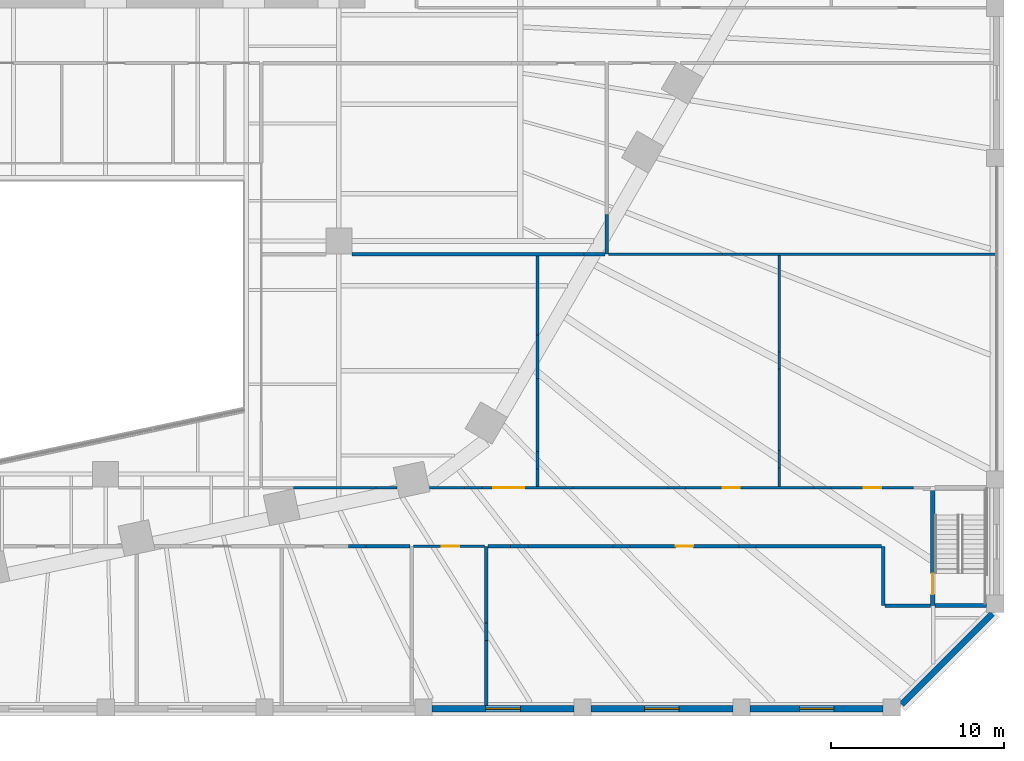
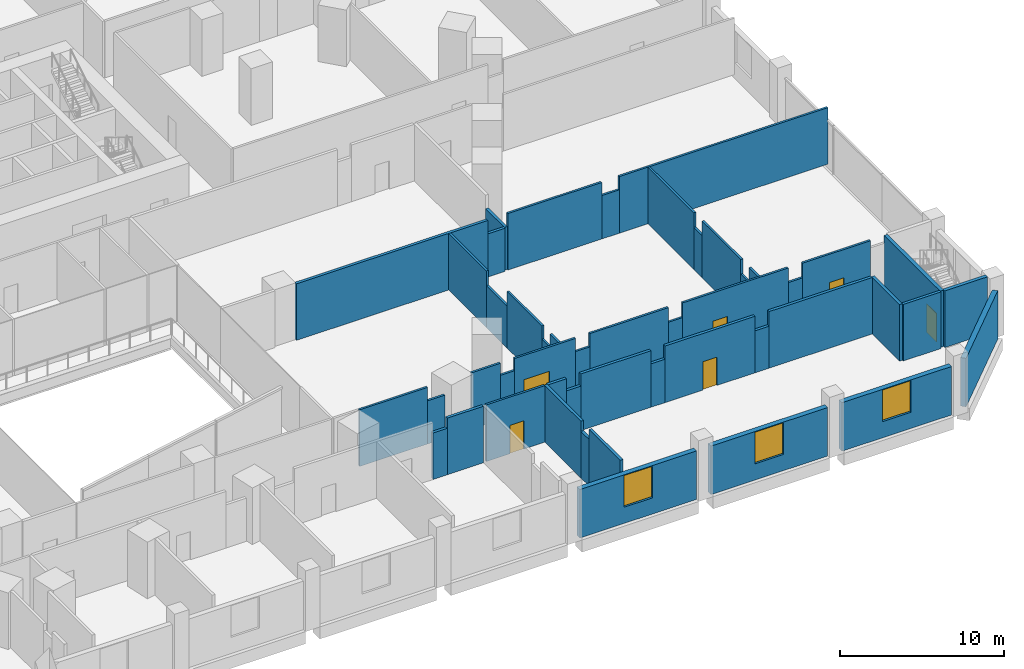
# One storey, part 19 of 29: 48 walls, 6 doors, 3 windows, 9 openings.
"""IFC4 building model written with IfcOpenShell, lengths in metres."""

import ifcopenshell
import ifcopenshell.guid

model = None  # the IFC model being written
_history = None  # IfcOwnerHistory: only IFC2X3 demands one
_inside = {}  # id of a spatial element -> (the spatial element, [elements in it])
_under = {}  # id of a project, library or spatial element -> (it, [spatial elements below it])
_declared = {}  # id of a project -> (the project, [libraries it declares])
_typed = {}  # id of a type object -> (the type object, [elements of that type])
_made_of = {}  # id of a material, layer set ... -> (it, [elements and type objects made of it])


def new_model(schema):
    """Start an empty IFC model of exactly this schema.

    Asked for "IFC4X3", IfcOpenShell would pick the latest addendum, in which some entities
    have other attributes; the version numbers below select the first issue.
    IFC2X3 requires an IfcOwnerHistory on every rooted entity: one is made here for all.
    """
    global model, _history
    if schema == "IFC4X3":
        model = ifcopenshell.file(schema_version=(4, 3, 0, 0))
    else:
        model = ifcopenshell.file(schema=schema)
    _inside.clear()
    _under.clear()
    _declared.clear()
    _typed.clear()
    _made_of.clear()
    _history = None
    if model.schema == "IFC2X3":
        org = make("IfcOrganization", Name="unknown")
        user = make(
            "IfcPersonAndOrganization",
            ThePerson=make("IfcPerson", FamilyName="unknown"),
            TheOrganization=org,
        )
        app = make(
            "IfcApplication",
            ApplicationDeveloper=org,
            Version="unknown",
            ApplicationFullName="unknown",
            ApplicationIdentifier="unknown",
        )
        _history = make(
            "IfcOwnerHistory",
            OwningUser=user,
            OwningApplication=app,
            ChangeAction="ADDED",
            CreationDate=0,
        )
    return model


def make(cls, **values):
    """One entity of the class cls with the attributes given. An attribute that is None is left unset."""
    return model.create_entity(
        cls, **{name: value for name, value in values.items() if value is not None}
    )


def rooted(cls, **values):
    """An entity with a GlobalId (a new one), such as an element, a storey or a relation."""
    return make(cls, GlobalId=ifcopenshell.guid.new(), OwnerHistory=_history, **values)


def si_unit(unit_type, name, prefix=None):
    """IfcSIUnit, for example si_unit("LENGTHUNIT", "METRE", prefix="MILLI")."""
    return make("IfcSIUnit", UnitType=unit_type, Prefix=prefix, Name=name)


def assignment(units):
    """IfcUnitAssignment: the units of a project."""
    return None if units is None else make("IfcUnitAssignment", Units=units)


def point(xyz):
    """IfcCartesianPoint."""
    return None if xyz is None else make("IfcCartesianPoint", Coordinates=xyz)


def direction(xyz):
    """IfcDirection."""
    return None if xyz is None else make("IfcDirection", DirectionRatios=xyz)


def frame(location, z_axis=None, x_axis=None):
    """IfcAxis2Placement3D, a coordinate frame: its origin and axes. An axis left out is left unset."""
    return make(
        "IfcAxis2Placement3D",
        Location=point(location),
        Axis=direction(z_axis),
        RefDirection=direction(x_axis),
    )


def frame_2d(location, x_axis=None):
    """IfcAxis2Placement2D, a coordinate frame in the plane: its origin and x axis."""
    return make(
        "IfcAxis2Placement2D", Location=point(location), RefDirection=direction(x_axis)
    )


def origin():
    """The frame at (0, 0, 0) with its axes left unset."""
    return frame((0.0, 0.0, 0.0))


def place(relative_to, where):
    """IfcLocalPlacement: puts the frame where relative to a parent placement (None: the world)."""
    return make(
        "IfcLocalPlacement", PlacementRelTo=relative_to, RelativePlacement=where
    )


def context(
    kind, dimensions, precision=None, world=None, true_north=None, identifier=None
):
    """IfcGeometricRepresentationContext, for example the 3D "Model" context."""
    return make(
        "IfcGeometricRepresentationContext",
        ContextIdentifier=identifier,
        ContextType=kind,
        CoordinateSpaceDimension=dimensions,
        Precision=precision,
        WorldCoordinateSystem=world,
        TrueNorth=true_north,
    )


def subcontext(parent, identifier, kind, view, scale=None):
    """IfcGeometricRepresentationSubContext, for example "Body" below "Model"."""
    return make(
        "IfcGeometricRepresentationSubContext",
        ContextIdentifier=identifier,
        ContextType=kind,
        ParentContext=parent,
        TargetScale=scale,
        TargetView=view,
    )


def project(units=None, contexts=None):
    """IfcProject with its units and contexts."""
    return rooted(
        "IfcProject",
        Name="project",
        RepresentationContexts=contexts,
        UnitsInContext=assignment(units),
    )


def spatial(cls, under=None, at=None, **own):
    """A site, building, storey or space (cls), placed at a placement, below another one or the project."""
    s = rooted(cls, ObjectPlacement=at, **own)
    if under is not None:
        _under.setdefault(under.id(), (under, []))[1].append(s)
    return s


def profile(cls, at=None, kind="AREA", **sizes):
    """A parametric profile (cls). Its sizes go by their IFC names, for example OverallWidth=200.0."""
    return make(cls, ProfileType=kind, Position=at, **sizes)


def rectangle(**sizes):
    """IfcRectangleProfileDef."""
    return profile("IfcRectangleProfileDef", **sizes)


def extrude(swept, where, along, depth):
    """IfcExtrudedAreaSolid: the profile swept, set in the frame where, extruded along a direction by depth."""
    return make(
        "IfcExtrudedAreaSolid",
        SweptArea=swept,
        Position=where,
        ExtrudedDirection=direction(along),
        Depth=depth,
    )


def shape(context_of_items, identifier, shape_type, items):
    """IfcShapeRepresentation: the items that make up one representation, for example the "Body"."""
    return make(
        "IfcShapeRepresentation",
        ContextOfItems=context_of_items,
        RepresentationIdentifier=identifier,
        RepresentationType=shape_type,
        Items=items,
    )


def material(Name=None, Category=None):
    """IfcMaterial."""
    return make("IfcMaterial", Name=Name, Category=Category)


def layer(
    of_material, thickness, ventilated=None, Name=None, Category=None, Priority=None
):
    """IfcMaterialLayer: one layer of a wall or slab, of a material (None: an air gap)."""
    return make(
        "IfcMaterialLayer",
        Material=of_material,
        LayerThickness=thickness,
        IsVentilated=ventilated,
        Name=Name,
        Category=Category,
        Priority=Priority,
    )


def layer_set(layers, Name=None):
    """IfcMaterialLayerSet."""
    return make("IfcMaterialLayerSet", MaterialLayers=layers, LayerSetName=Name)


def made_of(thing, what):
    """Note that an element or type object is made of a material, layer set ...; save() writes the relation."""
    if what is not None:
        _made_of.setdefault(what.id(), (what, []))[1].append(thing)
    return thing


def type_object(cls, material=None, **own):
    """A type object (cls), such as IfcWallType, which elements share."""
    return made_of(rooted(cls, **own), material)


def element(
    cls,
    number,
    at=None,
    inside=None,
    cuts=None,
    type_object=None,
    material=None,
    context=None,
    identifier="Body",
    shape_type=None,
    held_by="IfcProductDefinitionShape",
    body=None,
    shapes=None,
    **own,
):
    """One element of the class cls, such as IfcWall. Its Tag is "e" and its number.

    at: its placement. inside: the storey or other place that contains it. cuts: it is an
    opening in that element (IfcRelVoidsElement). A single representation is given by context,
    identifier, shape_type and body (its items); several are given by shapes. held_by: the class
    of the entity that holds the representations. save() writes the other relations.
    """
    e = rooted(cls, Tag="e%d" % number, ObjectPlacement=at, **own)
    if body is not None:
        shapes = [shape(context, identifier, shape_type, body)]
    if shapes is not None:
        e.Representation = make(held_by, Representations=shapes)
    if inside is not None:
        _inside.setdefault(inside.id(), (inside, []))[1].append(e)
    if cuts is not None:
        rooted(
            "IfcRelVoidsElement", RelatingBuildingElement=cuts, RelatedOpeningElement=e
        )
    if type_object is not None:
        _typed.setdefault(type_object.id(), (type_object, []))[1].append(e)
    return made_of(e, material)


def fill(opening, filler):
    """IfcRelFillsElement: the door or window that sits in an opening."""
    return rooted(
        "IfcRelFillsElement",
        RelatingOpeningElement=opening,
        RelatedBuildingElement=filler,
    )


def aggregate(whole, parts):
    """IfcRelAggregates: a whole, such as a stair, and the parts it consists of."""
    return rooted("IfcRelAggregates", RelatingObject=whole, RelatedObjects=parts)


def save(model, path):
    """Write the relations noted so far, then the file.

    IfcRelAggregates (storeys below a building ...), IfcRelContainedInSpatialStructure (elements
    in a storey), IfcRelDefinesByType, IfcRelAssociatesMaterial and IfcRelDeclares: one each for
    every whole, place, type object, material and project.
    """
    for whole, parts in _under.values():
        aggregate(whole, parts)
    for where, things in _inside.values():
        rooted(
            "IfcRelContainedInSpatialStructure",
            RelatedElements=things,
            RelatingStructure=where,
        )
    for kind, things in _typed.values():
        rooted("IfcRelDefinesByType", RelatedObjects=things, RelatingType=kind)
    for what, things in _made_of.values():
        rooted("IfcRelAssociatesMaterial", RelatedObjects=things, RelatingMaterial=what)
    for by, libraries in _declared.values():
        rooted("IfcRelDeclares", RelatingContext=by, RelatedDefinitions=libraries)
    model.write(path)


model = new_model("IFC4")

# Units and contexts
model_context = context("Model", 3, precision=1e-05, world=origin(), true_north=direction((0.0, 1.0)))
body_context = subcontext(model_context, "Body", "Model", "MODEL_VIEW")
ifc_project = project(units=[si_unit("LENGTHUNIT", "METRE"), si_unit("AREAUNIT", "SQUARE_METRE"), si_unit("VOLUMEUNIT", "CUBIC_METRE"), si_unit("PLANEANGLEUNIT", "RADIAN"), si_unit("MASSUNIT", "GRAM", prefix="KILO")], contexts=[model_context])

# Site, building, storey
site_placement = place(None, origin())
site = spatial("IfcSite", under=ifc_project, at=site_placement, CompositionType="ELEMENT")
building_placement = place(site_placement, origin())
building = spatial("IfcBuilding", under=site, at=building_placement, Name="Isthmus Gate Tower", CompositionType="ELEMENT")
storey_placement = place(building_placement, frame((0.0, 0.0, 27.0)))
storey = spatial("IfcBuildingStorey", under=building, at=storey_placement, Name="L04", CompositionType="ELEMENT", Elevation=27.0)

# Walls
ifc_material_1 = material(Name="Concrete f'c 30 MPa", Category="concrete")
ifc_layer_1 = layer(ifc_material_1, 0.199951171875)
ifc_layer_set_1 = layer_set([ifc_layer_1], Name="Fire-rated block wall 200")
wall_type_1 = type_object("IfcWallType", Name="Fire-rated block wall 200", PredefinedType="PARTITIONING", material=ifc_layer_set_1)
wall_1_placement = place(storey_placement, frame((45.10009765625, -34.60009765625, 0.0), z_axis=(0.0, 0.0, 1.0), x_axis=(1.0, 0.0, 0.0)))
element("IfcWall", 1, at=wall_1_placement, inside=storey, type_object=wall_type_1, Name="Fire-rated wall", PredefinedType="PARTITIONING", context=body_context, shape_type="SweptSolid", body=[
    extrude(rectangle(XDim=2.64990234375, YDim=0.199951171875, at=frame_2d((1.324951171875, 0.0))), origin(), (0.0, 0.0, 1.0), 4.199951171875),
])
wall_2_placement = place(storey_placement, frame((14.061767578125, -31.178955078125, 0.0), z_axis=(0.0, 0.0, 1.0), x_axis=(1.0, 0.0, 0.0)))
element("IfcWall", 2, at=wall_2_placement, inside=storey, type_object=wall_type_1, Name="Fire-rated wall", PredefinedType="PARTITIONING", context=body_context, shape_type="SweptSolid", body=[
    extrude(rectangle(XDim=1.0, YDim=0.199951171875, at=frame_2d((0.5, 0.0))), origin(), (0.0, 0.0, 1.0), 3.45068359375),
])
wall_3_placement = place(storey_placement, frame((15.061767578125, -31.178955078125, 0.0), z_axis=(0.0, 0.0, 1.0), x_axis=(1.0, 0.0, 0.0)))
element("IfcWall", 3, at=wall_3_placement, inside=storey, type_object=wall_type_1, Name="Fire-rated wall", PredefinedType="PARTITIONING", context=body_context, shape_type="SweptSolid", body=[
    extrude(rectangle(XDim=2.55224609375, YDim=0.199951171875, at=frame_2d((1.276123046875, 0.0))), origin(), (0.0, 0.0, 1.0), 4.199951171875),
])
wall_4_placement = place(storey_placement, frame((22.132080078125, -31.178955078125, 0.0), z_axis=(0.0, 0.0, 1.0), x_axis=(1.0, 0.0, 0.0)))
element("IfcWall", 4, at=wall_4_placement, inside=storey, type_object=wall_type_1, Name="Fire-rated wall", PredefinedType="PARTITIONING", context=body_context, shape_type="SweptSolid", body=[
    extrude(rectangle(XDim=1.309814453125, YDim=0.199951171875, at=frame_2d((0.65478515625, 0.0))), origin(), (0.0, 0.0, 1.0), 4.199951171875),
])
wall_5_placement = place(storey_placement, frame((23.44189453125, -31.178955078125, 0.0), z_axis=(0.0, 0.0, 1.0), x_axis=(1.0, 0.0, 0.0)))
element("IfcWall", 5, at=wall_5_placement, inside=storey, type_object=wall_type_1, Name="Fire-rated wall", PredefinedType="PARTITIONING", context=body_context, shape_type="SweptSolid", body=[
    extrude(rectangle(XDim=1.0, YDim=0.199951171875, at=frame_2d((0.5, 0.0))), origin(), (0.0, 0.0, 1.0), 3.29833984375),
])
wall_6_placement = place(storey_placement, frame((24.44189453125, -31.178955078125, 0.0), z_axis=(0.0, 0.0, 1.0), x_axis=(1.0, 0.0, 0.0)))
element("IfcWall", 6, at=wall_6_placement, inside=storey, type_object=wall_type_1, Name="Fire-rated wall", PredefinedType="PARTITIONING", context=body_context, shape_type="SweptSolid", body=[
    extrude(rectangle(XDim=4.920654296875, YDim=0.199951171875, at=frame_2d((2.46044921875, 0.0))), origin(), (0.0, 0.0, 1.0), 4.199951171875),
])
wall_7_placement = place(storey_placement, frame((29.362548828125, -31.178955078125, 0.0), z_axis=(0.0, 0.0, 1.0), x_axis=(1.0, 0.0, 0.0)))
element("IfcWall", 7, at=wall_7_placement, inside=storey, type_object=wall_type_1, Name="Fire-rated wall", PredefinedType="PARTITIONING", context=body_context, shape_type="SweptSolid", body=[
    extrude(rectangle(XDim=1.0, YDim=0.199951171875, at=frame_2d((0.5, 0.0))), origin(), (0.0, 0.0, 1.0), 3.218994140625),
])

# Wall, opening, door
wall_8_placement = place(storey_placement, frame((30.362548828125, -31.178955078125, 0.0), z_axis=(0.0, 0.0, 1.0), x_axis=(1.0, 0.0, 0.0)))
wall_8 = element("IfcWall", 8, at=wall_8_placement, inside=storey, type_object=wall_type_1, Name="Fire-rated wall", PredefinedType="PARTITIONING", context=body_context, shape_type="SweptSolid", body=[
    extrude(rectangle(XDim=6.296630859375, YDim=0.199951171875, at=frame_2d((3.1484375, 0.0))), origin(), (0.0, 0.0, 1.0), 4.199951171875),
])
opening_1_placement = place(wall_8_placement, frame((2.64990234375, 0.0, 0.0)))
opening_1 = element("IfcOpeningElement", 9, at=opening_1_placement, cuts=wall_8, Name="Opening DP04-50", PredefinedType="OPENING", context=body_context, shape_type="SweptSolid", body=[
    extrude(rectangle(XDim=1.0, YDim=2.10009765625, at=frame_2d((0.5, 1.050048828125))), frame((0.0, 0.10986328125, 0.0), z_axis=(0.0, -1.0, 0.0), x_axis=(1.0, 0.0, 0.0)), (0.0, 0.0, 1.0), 0.219970703125),
])
ifc_material_2 = material(Name="Steel fire door with intumescent seals", Category="steel")
door_type_1 = type_object("IfcDoorType", Name="Fire door 1000 x 2100", OperationType="SINGLE_SWING_LEFT", PredefinedType="DOOR", material=ifc_material_2)
door_1_placement = place(opening_1_placement, origin())
door_1 = element("IfcDoor", 10, at=door_1_placement, inside=storey, type_object=door_type_1, Name="Door DP04-50", OperationType="SINGLE_SWING_LEFT", OverallHeight=2.10009765625, OverallWidth=1.0, PredefinedType="DOOR", context=body_context, shape_type="SweptSolid", body=[
    extrude(rectangle(XDim=1.0, YDim=2.10009765625, at=frame_2d((0.5, 1.050048828125))), frame((0.0, 0.02490234375, 0.0), z_axis=(0.0, -1.0, 0.0), x_axis=(1.0, 0.0, 0.0)), (0.0, 0.0, 1.0), 0.050048828125),
])
fill(opening_1, door_1)

# Walls
wall_9_placement = place(storey_placement, frame((36.6591796875, -31.178955078125, 0.0), z_axis=(0.0, 0.0, 1.0), x_axis=(1.0, 0.0, 0.0)))
element("IfcWall", 11, at=wall_9_placement, inside=storey, type_object=wall_type_1, Name="Fire-rated wall", PredefinedType="PARTITIONING", context=body_context, shape_type="SweptSolid", body=[
    extrude(rectangle(XDim=1.0, YDim=0.199951171875, at=frame_2d((0.5, 0.0))), origin(), (0.0, 0.0, 1.0), 3.111083984375),
])
wall_10_placement = place(storey_placement, frame((37.6591796875, -31.178955078125, 0.0), z_axis=(0.0, 0.0, 1.0), x_axis=(1.0, 0.0, 0.0)))
element("IfcWall", 12, at=wall_10_placement, inside=storey, type_object=wall_type_1, Name="Fire-rated wall", PredefinedType="PARTITIONING", context=body_context, shape_type="SweptSolid", body=[
    extrude(rectangle(XDim=7.24072265625, YDim=0.199951171875, at=frame_2d((3.620361328125, 0.0))), origin(), (0.0, 0.0, 1.0), 4.199951171875),
])
wall_11_placement = place(storey_placement, frame((14.25, -14.260986328125, 0.0), z_axis=(0.0, 0.0, 1.0), x_axis=(1.0, 0.0, 0.0)))
element("IfcWall", 13, at=wall_11_placement, inside=storey, type_object=wall_type_1, Name="Fire-rated wall", PredefinedType="PARTITIONING", context=body_context, shape_type="SweptSolid", body=[
    extrude(rectangle(XDim=13.427490234375, YDim=0.199951171875, at=frame_2d((6.7138671875, 0.0))), origin(), (0.0, 0.0, 1.0), 4.199951171875),
])
wall_12_placement = place(storey_placement, frame((27.677490234375, -14.260986328125, 0.0), z_axis=(0.0, 0.0, 1.0), x_axis=(1.0, 0.0, 0.0)))
element("IfcWall", 14, at=wall_12_placement, inside=storey, type_object=wall_type_1, Name="Fire-rated wall", PredefinedType="PARTITIONING", context=body_context, shape_type="SweptSolid", body=[
    extrude(rectangle(XDim=1.222412109375, YDim=0.199951171875, at=frame_2d((0.611328125, 0.0))), origin(), (0.0, 0.0, 1.0), 3.199951171875),
])
wall_13_placement = place(storey_placement, frame((22.031982421875, -40.39990234375, 0.0), z_axis=(0.0, 0.0, 1.0), x_axis=(0.0, 1.0, 0.0)))
element("IfcWall", 15, at=wall_13_placement, inside=storey, type_object=wall_type_1, Name="Fire-rated wall", PredefinedType="PARTITIONING", context=body_context, shape_type="SweptSolid", body=[
    extrude(rectangle(XDim=3.776123046875, YDim=0.199951171875, at=frame_2d((1.88818359375, 0.0))), origin(), (0.0, 0.0, 1.0), 4.199951171875),
])
wall_14_placement = place(storey_placement, frame((22.031982421875, -36.623779296875, 0.0), z_axis=(0.0, 0.0, 1.0), x_axis=(0.0, 1.0, 0.0)))
element("IfcWall", 16, at=wall_14_placement, inside=storey, type_object=wall_type_1, Name="Fire-rated wall", PredefinedType="PARTITIONING", context=body_context, shape_type="SweptSolid", body=[
    extrude(rectangle(XDim=1.0, YDim=0.199951171875, at=frame_2d((0.5, 0.0))), origin(), (0.0, 0.0, 1.0), 3.45068359375),
])
wall_15_placement = place(storey_placement, frame((22.031982421875, -35.623779296875, 0.0), z_axis=(0.0, 0.0, 1.0), x_axis=(0.0, 1.0, 0.0)))
element("IfcWall", 17, at=wall_15_placement, inside=storey, type_object=wall_type_1, Name="Fire-rated wall", PredefinedType="PARTITIONING", context=body_context, shape_type="SweptSolid", body=[
    extrude(rectangle(XDim=4.44482421875, YDim=0.199951171875, at=frame_2d((2.222412109375, 0.0))), origin(), (0.0, 0.0, 1.0), 4.199951171875),
])
wall_16_placement = place(storey_placement, frame((29.0, -14.260498046875, 0.0), z_axis=(0.0, 0.0, 1.0), x_axis=(0.0, 1.0, 0.0)))
element("IfcWall", 18, at=wall_16_placement, inside=storey, type_object=wall_type_1, Name="Fire-rated wall", PredefinedType="PARTITIONING", context=body_context, shape_type="SweptSolid", body=[
    extrude(rectangle(XDim=2.2900390625, YDim=0.199951171875, at=frame_2d((1.14501953125, 0.0))), origin(), (0.0, 0.0, 1.0), 3.199951171875),
])
wall_17_placement = place(storey_placement, frame((45.0, -34.60009765625, 0.0), z_axis=(0.0, 0.0, 1.0), x_axis=(0.0, 1.0, 0.0)))
element("IfcWall", 19, at=wall_17_placement, inside=storey, type_object=wall_type_1, Name="Fire-rated wall", PredefinedType="PARTITIONING", context=body_context, shape_type="SweptSolid", body=[
    extrude(rectangle(XDim=3.421142578125, YDim=0.199951171875, at=frame_2d((1.71044921875, 0.0))), origin(), (0.0, 0.0, 1.0), 4.199951171875),
])

# Wall, opening, window
ifc_material_3 = material(Name="Precast concrete C40/50, limestone-faced", Category="masonry")
ifc_layer_2 = layer(ifc_material_3, 0.35009765625)
ifc_layer_set_2 = layer_set([ifc_layer_2], Name="PODIUM CLADDING WALL 350")
wall_type_2 = type_object("IfcWallType", Name="PODIUM CLADDING WALL 350", PredefinedType="SOLIDWALL", material=ifc_layer_set_2)
wall_18_placement = place(storey_placement, frame((18.89990234375, -40.574951171875, -0.300048828125), z_axis=(0.0, 0.0, 1.0), x_axis=(1.0, 0.0, 0.0)))
wall_18 = element("IfcWall", 20, at=wall_18_placement, inside=storey, type_object=wall_type_2, Name="PODIUM WALL", PredefinedType="SOLIDWALL", context=body_context, shape_type="SweptSolid", body=[
    extrude(rectangle(XDim=8.2001953125, YDim=0.35009765625, at=frame_2d((4.10009765625, 0.0))), origin(), (0.0, 0.0, 1.0), 3.60009765625),
])
opening_2_placement = place(wall_18_placement, frame((3.10009765625, 0.0, 1.199951171875)))
opening_2 = element("IfcOpeningElement", 21, at=opening_2_placement, cuts=wall_18, Name="Opening W069", PredefinedType="OPENING", context=body_context, shape_type="SweptSolid", body=[
    extrude(rectangle(XDim=2.0, YDim=2.35009765625, at=frame_2d((1.0, 1.175048828125))), frame((0.0, 0.18505859375, 0.0), z_axis=(0.0, -1.0, 0.0), x_axis=(1.0, 0.0, 0.0)), (0.0, 0.0, 1.0), 0.3701171875),
])
ifc_material_4 = material(Name="Aluminium, pale champagne anodised, laminated glass", Category="aluminium")
window_type = type_object("IfcWindowType", Name="PODIUM SLOT WINDOW 2000 X 2350", PartitioningType="SINGLE_PANEL", PredefinedType="WINDOW", material=ifc_material_4)
window_1_placement = place(opening_2_placement, origin())
window_1 = element("IfcWindow", 22, at=window_1_placement, inside=storey, type_object=window_type, Name="SLOT WINDOW", OverallHeight=2.35009765625, OverallWidth=2.0, PartitioningType="SINGLE_PANEL", PredefinedType="WINDOW", context=body_context, shape_type="SweptSolid", body=[
    extrude(rectangle(XDim=2.0, YDim=2.35009765625, at=frame_2d((1.0, 1.175048828125))), frame((0.0, 0.030029296875, 0.0), z_axis=(0.0, -1.0, 0.0), x_axis=(1.0, 0.0, 0.0)), (0.0, 0.0, 1.0), 0.06005859375),
])
fill(opening_2, window_1)

wall_19_placement = place(storey_placement, frame((28.10009765625, -40.574951171875, -0.300048828125), z_axis=(0.0, 0.0, 1.0), x_axis=(1.0, 0.0, 0.0)))
wall_19 = element("IfcWall", 23, at=wall_19_placement, inside=storey, type_object=wall_type_2, Name="PODIUM WALL", PredefinedType="SOLIDWALL", context=body_context, shape_type="SweptSolid", body=[
    extrude(rectangle(XDim=8.199951171875, YDim=0.35009765625, at=frame_2d((4.10009765625, 0.0))), origin(), (0.0, 0.0, 1.0), 3.60009765625),
])
opening_3_placement = place(wall_19_placement, frame((3.10009765625, 0.0, 1.199951171875)))
opening_3 = element("IfcOpeningElement", 24, at=opening_3_placement, cuts=wall_19, Name="Opening W070", PredefinedType="OPENING", context=body_context, shape_type="SweptSolid", body=[
    extrude(rectangle(XDim=2.0, YDim=2.35009765625, at=frame_2d((1.0, 1.175048828125))), frame((0.0, 0.18505859375, 0.0), z_axis=(0.0, -1.0, 0.0), x_axis=(1.0, 0.0, 0.0)), (0.0, 0.0, 1.0), 0.3701171875),
])
window_2_placement = place(opening_3_placement, origin())
window_2 = element("IfcWindow", 25, at=window_2_placement, inside=storey, type_object=window_type, Name="SLOT WINDOW", OverallHeight=2.35009765625, OverallWidth=2.0, PartitioningType="SINGLE_PANEL", PredefinedType="WINDOW", context=body_context, shape_type="SweptSolid", body=[
    extrude(rectangle(XDim=2.0, YDim=2.35009765625, at=frame_2d((1.0, 1.175048828125))), frame((0.0, 0.030029296875, 0.0), z_axis=(0.0, -1.0, 0.0), x_axis=(1.0, 0.0, 0.0)), (0.0, 0.0, 1.0), 0.06005859375),
])
fill(opening_3, window_2)

wall_20_placement = place(storey_placement, frame((37.300048828125, -40.574951171875, -0.300048828125), z_axis=(0.0, 0.0, 1.0), x_axis=(1.0, 0.0, 0.0)))
wall_20 = element("IfcWall", 26, at=wall_20_placement, inside=storey, type_object=wall_type_2, Name="PODIUM WALL", PredefinedType="SOLIDWALL", context=body_context, shape_type="SweptSolid", body=[
    extrude(rectangle(XDim=7.699951171875, YDim=0.35009765625, at=frame_2d((3.85009765625, 0.0))), origin(), (0.0, 0.0, 1.0), 3.60009765625),
])
opening_4_placement = place(wall_20_placement, frame((2.85009765625, 0.0, 1.199951171875)))
opening_4 = element("IfcOpeningElement", 27, at=opening_4_placement, cuts=wall_20, Name="Opening W071", PredefinedType="OPENING", context=body_context, shape_type="SweptSolid", body=[
    extrude(rectangle(XDim=2.0, YDim=2.35009765625, at=frame_2d((1.0, 1.175048828125))), frame((0.0, 0.18505859375, 0.0), z_axis=(0.0, -1.0, 0.0), x_axis=(1.0, 0.0, 0.0)), (0.0, 0.0, 1.0), 0.3701171875),
])
window_3_placement = place(opening_4_placement, origin())
window_3 = element("IfcWindow", 28, at=window_3_placement, inside=storey, type_object=window_type, Name="SLOT WINDOW", OverallHeight=2.35009765625, OverallWidth=2.0, PartitioningType="SINGLE_PANEL", PredefinedType="WINDOW", context=body_context, shape_type="SweptSolid", body=[
    extrude(rectangle(XDim=2.0, YDim=2.35009765625, at=frame_2d((1.0, 1.175048828125))), frame((0.0, 0.030029296875, 0.0), z_axis=(0.0, -1.0, 0.0), x_axis=(1.0, 0.0, 0.0)), (0.0, 0.0, 1.0), 0.06005859375),
])
fill(opening_4, window_3)

# Wall
wall_21_placement = place(storey_placement, frame((46.071533203125, -40.327392578125, -0.300048828125), z_axis=(0.0, 0.0, 1.0), x_axis=(0.707106781187, 0.707106781187, 0.0)))
element("IfcWall", 29, at=wall_21_placement, inside=storey, type_object=wall_type_2, Name="PODIUM WALL", PredefinedType="SOLIDWALL", context=body_context, shape_type="SweptSolid", body=[
    extrude(rectangle(XDim=7.432861328125, YDim=0.35009765625, at=frame_2d((3.71630859375, 0.0))), origin(), (0.0, 0.0, 1.0), 3.60009765625),
])

# Wall, opening, door
ifc_material_5 = material(Name="Gypsum board on cold-formed steel studs", Category="steel")
ifc_layer_3 = layer(ifc_material_5, 0.14990234375)
ifc_layer_set_3 = layer_set([ifc_layer_3])
wall_type_3 = type_object("IfcWallType", Name="Partition 150 gypsum board on steel studs", PredefinedType="PARTITIONING", material=ifc_layer_set_3)
wall_22_placement = place(storey_placement, frame((17.81396484375, -31.178955078125, 0.0), z_axis=(0.0, 0.0, 1.0), x_axis=(1.0, 0.0, 0.0)))
wall_22 = element("IfcWall", 30, at=wall_22_placement, inside=storey, type_object=wall_type_3, Name="Partition", PredefinedType="PARTITIONING", context=body_context, shape_type="SweptSolid", body=[
    extrude(rectangle(XDim=4.117919921875, YDim=0.14990234375, at=frame_2d((2.05908203125, 0.0))), origin(), (0.0, 0.0, 1.0), 4.199951171875),
])
opening_5_placement = place(wall_22_placement, frame((1.64990234375, 0.0, 0.0)))
opening_5 = element("IfcOpeningElement", 31, at=opening_5_placement, cuts=wall_22, Name="Opening DP04-49", PredefinedType="OPENING", context=body_context, shape_type="SweptSolid", body=[
    extrude(rectangle(XDim=1.0, YDim=2.10009765625, at=frame_2d((0.5, 1.050048828125))), frame((0.0, 0.0849609375, 0.0), z_axis=(0.0, -1.0, 0.0), x_axis=(1.0, 0.0, 0.0)), (0.0, 0.0, 1.0), 0.169921875),
])
ifc_material_6 = material(Name="Hollow metal frame with solid-core timber leaf", Category="wood")
door_type_2 = type_object("IfcDoorType", Name="Single swing door 1000 x 2100", OperationType="SINGLE_SWING_LEFT", PredefinedType="DOOR", material=ifc_material_6)
door_2_placement = place(opening_5_placement, origin())
door_2 = element("IfcDoor", 32, at=door_2_placement, inside=storey, type_object=door_type_2, Name="Door DP04-49", OperationType="SINGLE_SWING_LEFT", OverallHeight=2.10009765625, OverallWidth=1.0, PredefinedType="DOOR", context=body_context, shape_type="SweptSolid", body=[
    extrude(rectangle(XDim=1.0, YDim=2.10009765625, at=frame_2d((0.5, 1.050048828125))), frame((0.0, 0.02490234375, 0.0), z_axis=(0.0, -1.0, 0.0), x_axis=(1.0, 0.0, 0.0)), (0.0, 0.0, 1.0), 0.050048828125),
])
fill(opening_5, door_2)

# Walls
wall_23_placement = place(storey_placement, frame((10.88720703125, -27.779052734375, 0.0), z_axis=(0.0, 0.0, 1.0), x_axis=(1.0, 0.0, 0.0)))
element("IfcWall", 33, at=wall_23_placement, inside=storey, type_object=wall_type_3, Name="Partition", PredefinedType="PARTITIONING", context=body_context, shape_type="SweptSolid", body=[
    extrude(rectangle(XDim=4.762451171875, YDim=0.14990234375, at=frame_2d((2.38134765625, 0.0))), origin(), (0.0, 0.0, 1.0), 4.199951171875),
])
wall_24_placement = place(storey_placement, frame((15.649658203125, -27.779052734375, 0.0), z_axis=(0.0, 0.0, 1.0), x_axis=(1.0, 0.0, 0.0)))
element("IfcWall", 34, at=wall_24_placement, inside=storey, type_object=wall_type_3, Name="Partition", PredefinedType="PARTITIONING", context=body_context, shape_type="SweptSolid", body=[
    extrude(rectangle(XDim=1.2265625, YDim=0.14990234375, at=frame_2d((0.61328125, 0.0))), origin(), (0.0, 0.0, 1.0), 3.199951171875),
])
wall_25_placement = place(storey_placement, frame((18.748291015625, -27.779052734375, 0.0), z_axis=(0.0, 0.0, 1.0), x_axis=(1.0, 0.0, 0.0)))
element("IfcWall", 35, at=wall_25_placement, inside=storey, type_object=wall_type_3, Name="Partition", PredefinedType="PARTITIONING", context=body_context, shape_type="SweptSolid", body=[
    extrude(rectangle(XDim=2.0244140625, YDim=0.14990234375, at=frame_2d((1.01220703125, 0.0))), origin(), (0.0, 0.0, 1.0), 4.199951171875),
])
wall_26_placement = place(storey_placement, frame((20.772705078125, -27.779052734375, 0.0), z_axis=(0.0, 0.0, 1.0), x_axis=(1.0, 0.0, 0.0)))
element("IfcWall", 36, at=wall_26_placement, inside=storey, type_object=wall_type_3, Name="Partition", PredefinedType="PARTITIONING", context=body_context, shape_type="SweptSolid", body=[
    extrude(rectangle(XDim=1.0, YDim=0.14990234375, at=frame_2d((0.5, 0.0))), origin(), (0.0, 0.0, 1.0), 3.29833984375),
])

# Wall, opening, door
wall_27_placement = place(storey_placement, frame((21.772705078125, -27.779052734375, 0.0), z_axis=(0.0, 0.0, 1.0), x_axis=(1.0, 0.0, 0.0)))
wall_27 = element("IfcWall", 37, at=wall_27_placement, inside=storey, type_object=wall_type_3, Name="Partition", PredefinedType="PARTITIONING", context=body_context, shape_type="SweptSolid", body=[
    extrude(rectangle(XDim=4.279296875, YDim=0.14990234375, at=frame_2d((2.1396484375, 0.0))), origin(), (0.0, 0.0, 1.0), 4.199951171875),
])
opening_6_placement = place(wall_27_placement, frame((0.64990234375, 0.0, 0.0)))
opening_6 = element("IfcOpeningElement", 38, at=opening_6_placement, cuts=wall_27, Name="Opening DP04-24", PredefinedType="OPENING", context=body_context, shape_type="SweptSolid", body=[
    extrude(rectangle(XDim=1.800048828125, YDim=2.39990234375, at=frame_2d((0.89990234375, 1.199951171875))), frame((0.0, 0.0849609375, 0.0), z_axis=(0.0, -1.0, 0.0), x_axis=(1.0, 0.0, 0.0)), (0.0, 0.0, 1.0), 0.169921875),
])
ifc_material_7 = material(Name="Hollow metal frame with solid-core timber leaves", Category="wood")
door_type_3 = type_object("IfcDoorType", Name="Double swing door 1800 x 2400", OperationType="DOUBLE_DOOR_SINGLE_SWING", PredefinedType="DOOR", material=ifc_material_7)
door_3_placement = place(opening_6_placement, origin())
door_3 = element("IfcDoor", 39, at=door_3_placement, inside=storey, type_object=door_type_3, Name="Door DP04-24", OperationType="SINGLE_SWING_LEFT", OverallHeight=2.39990234375, OverallWidth=1.800048828125, PredefinedType="DOOR", context=body_context, shape_type="SweptSolid", body=[
    extrude(rectangle(XDim=1.800048828125, YDim=2.39990234375, at=frame_2d((0.89990234375, 1.199951171875))), frame((0.0, 0.02490234375, 0.0), z_axis=(0.0, -1.0, 0.0), x_axis=(1.0, 0.0, 0.0)), (0.0, 0.0, 1.0), 0.050048828125),
])
fill(opening_6, door_3)

# Walls
wall_28_placement = place(storey_placement, frame((26.052001953125, -27.779052734375, 0.0), z_axis=(0.0, 0.0, 1.0), x_axis=(1.0, 0.0, 0.0)))
element("IfcWall", 40, at=wall_28_placement, inside=storey, type_object=wall_type_3, Name="Partition", PredefinedType="PARTITIONING", context=body_context, shape_type="SweptSolid", body=[
    extrude(rectangle(XDim=1.0, YDim=0.14990234375, at=frame_2d((0.5, 0.0))), origin(), (0.0, 0.0, 1.0), 3.218994140625),
])
wall_29_placement = place(storey_placement, frame((27.052001953125, -27.779052734375, 0.0), z_axis=(0.0, 0.0, 1.0), x_axis=(1.0, 0.0, 0.0)))
element("IfcWall", 41, at=wall_29_placement, inside=storey, type_object=wall_type_3, Name="Partition", PredefinedType="PARTITIONING", context=body_context, shape_type="SweptSolid", body=[
    extrude(rectangle(XDim=5.506103515625, YDim=0.14990234375, at=frame_2d((2.7529296875, 0.0))), origin(), (0.0, 0.0, 1.0), 4.199951171875),
])
wall_30_placement = place(storey_placement, frame((32.55810546875, -27.779052734375, 0.0), z_axis=(0.0, 0.0, 1.0), x_axis=(1.0, 0.0, 0.0)))
element("IfcWall", 42, at=wall_30_placement, inside=storey, type_object=wall_type_3, Name="Partition", PredefinedType="PARTITIONING", context=body_context, shape_type="SweptSolid", body=[
    extrude(rectangle(XDim=1.0, YDim=0.14990234375, at=frame_2d((0.5, 0.0))), origin(), (0.0, 0.0, 1.0), 3.111083984375),
])

# Wall, opening, door
wall_31_placement = place(storey_placement, frame((33.55810546875, -27.779052734375, 0.0), z_axis=(0.0, 0.0, 1.0), x_axis=(1.0, 0.0, 0.0)))
wall_31 = element("IfcWall", 43, at=wall_31_placement, inside=storey, type_object=wall_type_3, Name="Partition", PredefinedType="PARTITIONING", context=body_context, shape_type="SweptSolid", body=[
    extrude(rectangle(XDim=7.43212890625, YDim=0.14990234375, at=frame_2d((3.716064453125, 0.0))), origin(), (0.0, 0.0, 1.0), 4.199951171875),
])
opening_7_placement = place(wall_31_placement, frame((2.14990234375, 0.0, 0.0)))
opening_7 = element("IfcOpeningElement", 44, at=opening_7_placement, cuts=wall_31, Name="Opening DP04-25", PredefinedType="OPENING", context=body_context, shape_type="SweptSolid", body=[
    extrude(rectangle(XDim=1.0, YDim=2.10009765625, at=frame_2d((0.5, 1.050048828125))), frame((0.0, 0.0849609375, 0.0), z_axis=(0.0, -1.0, 0.0), x_axis=(1.0, 0.0, 0.0)), (0.0, 0.0, 1.0), 0.169921875),
])
door_4_placement = place(opening_7_placement, origin())
door_4 = element("IfcDoor", 45, at=door_4_placement, inside=storey, type_object=door_type_2, Name="Door DP04-25", OperationType="SINGLE_SWING_LEFT", OverallHeight=2.10009765625, OverallWidth=1.0, PredefinedType="DOOR", context=body_context, shape_type="SweptSolid", body=[
    extrude(rectangle(XDim=1.0, YDim=2.10009765625, at=frame_2d((0.5, 1.050048828125))), frame((0.0, 0.02490234375, 0.0), z_axis=(0.0, -1.0, 0.0), x_axis=(1.0, 0.0, 0.0)), (0.0, 0.0, 1.0), 0.050048828125),
])
fill(opening_7, door_4)

# Wall
wall_32_placement = place(storey_placement, frame((40.990234375, -27.779052734375, 0.0), z_axis=(0.0, 0.0, 1.0), x_axis=(1.0, 0.0, 0.0)))
element("IfcWall", 46, at=wall_32_placement, inside=storey, type_object=wall_type_3, Name="Partition", PredefinedType="PARTITIONING", context=body_context, shape_type="SweptSolid", body=[
    extrude(rectangle(XDim=1.0, YDim=0.14990234375, at=frame_2d((0.5, 0.0))), origin(), (0.0, 0.0, 1.0), 3.111083984375),
])

# Wall, opening, door
wall_33_placement = place(storey_placement, frame((41.990234375, -27.779052734375, 0.0), z_axis=(0.0, 0.0, 1.0), x_axis=(1.0, 0.0, 0.0)))
wall_33 = element("IfcWall", 47, at=wall_33_placement, inside=storey, type_object=wall_type_3, Name="Partition", PredefinedType="PARTITIONING", context=body_context, shape_type="SweptSolid", body=[
    extrude(rectangle(XDim=4.759765625, YDim=0.14990234375, at=frame_2d((2.3798828125, 0.0))), origin(), (0.0, 0.0, 1.0), 4.199951171875),
])
opening_8_placement = place(wall_33_placement, frame((1.89990234375, 0.0, 0.0)))
opening_8 = element("IfcOpeningElement", 48, at=opening_8_placement, cuts=wall_33, Name="Opening DP04-26", PredefinedType="OPENING", context=body_context, shape_type="SweptSolid", body=[
    extrude(rectangle(XDim=1.0, YDim=2.10009765625, at=frame_2d((0.5, 1.050048828125))), frame((0.0, 0.0849609375, 0.0), z_axis=(0.0, -1.0, 0.0), x_axis=(1.0, 0.0, 0.0)), (0.0, 0.0, 1.0), 0.169921875),
])
door_5_placement = place(opening_8_placement, origin())
door_5 = element("IfcDoor", 49, at=door_5_placement, inside=storey, type_object=door_type_2, Name="Door DP04-26", OperationType="SINGLE_SWING_LEFT", OverallHeight=2.10009765625, OverallWidth=1.0, PredefinedType="DOOR", context=body_context, shape_type="SweptSolid", body=[
    extrude(rectangle(XDim=1.0, YDim=2.10009765625, at=frame_2d((0.5, 1.050048828125))), frame((0.0, 0.02490234375, 0.0), z_axis=(0.0, -1.0, 0.0), x_axis=(1.0, 0.0, 0.0)), (0.0, 0.0, 1.0), 0.050048828125),
])
fill(opening_8, door_5)

# Walls
wall_34_placement = place(storey_placement, frame((29.10009765625, -14.260986328125, 0.0), z_axis=(0.0, 0.0, 1.0), x_axis=(1.0, 0.0, 0.0)))
element("IfcWall", 50, at=wall_34_placement, inside=storey, type_object=wall_type_3, Name="Partition", PredefinedType="PARTITIONING", context=body_context, shape_type="SweptSolid", body=[
    extrude(rectangle(XDim=6.59228515625, YDim=0.14990234375, at=frame_2d((3.296142578125, 0.0))), origin(), (0.0, 0.0, 1.0), 4.199951171875),
])
wall_35_placement = place(storey_placement, frame((35.6923828125, -14.260986328125, 0.0), z_axis=(0.0, 0.0, 1.0), x_axis=(1.0, 0.0, 0.0)))
element("IfcWall", 51, at=wall_35_placement, inside=storey, type_object=wall_type_3, Name="Partition", PredefinedType="PARTITIONING", context=body_context, shape_type="SweptSolid", body=[
    extrude(rectangle(XDim=1.2314453125, YDim=0.14990234375, at=frame_2d((0.61572265625, 0.0))), origin(), (0.0, 0.0, 1.0), 3.218994140625),
])
wall_36_placement = place(storey_placement, frame((36.923828125, -14.260986328125, 0.0), z_axis=(0.0, 0.0, 1.0), x_axis=(1.0, 0.0, 0.0)))
element("IfcWall", 52, at=wall_36_placement, inside=storey, type_object=wall_type_3, Name="Partition", PredefinedType="PARTITIONING", context=body_context, shape_type="SweptSolid", body=[
    extrude(rectangle(XDim=14.646240234375, YDim=0.14990234375, at=frame_2d((7.3232421875, 0.0))), origin(), (0.0, 0.0, 1.0), 4.199951171875),
])
wall_37_placement = place(storey_placement, frame((25.0, -27.7041015625, 0.0), z_axis=(0.0, 0.0, 1.0), x_axis=(0.0, 1.0, 0.0)))
element("IfcWall", 53, at=wall_37_placement, inside=storey, type_object=wall_type_3, Name="Partition", PredefinedType="PARTITIONING", context=body_context, shape_type="SweptSolid", body=[
    extrude(rectangle(XDim=1.018798828125, YDim=0.14990234375, at=frame_2d((0.50927734375, 0.0))), origin(), (0.0, 0.0, 1.0), 4.199951171875),
])
wall_38_placement = place(storey_placement, frame((25.0, -26.685302734375, 0.0), z_axis=(0.0, 0.0, 1.0), x_axis=(0.0, 1.0, 0.0)))
element("IfcWall", 54, at=wall_38_placement, inside=storey, type_object=wall_type_3, Name="Partition", PredefinedType="PARTITIONING", context=body_context, shape_type="SweptSolid", body=[
    extrude(rectangle(XDim=1.0, YDim=0.14990234375, at=frame_2d((0.5, 0.0))), origin(), (0.0, 0.0, 1.0), 3.218994140625),
])
wall_39_placement = place(storey_placement, frame((25.0, -25.685302734375, 0.0), z_axis=(0.0, 0.0, 1.0), x_axis=(0.0, 1.0, 0.0)))
element("IfcWall", 55, at=wall_39_placement, inside=storey, type_object=wall_type_3, Name="Partition", PredefinedType="PARTITIONING", context=body_context, shape_type="SweptSolid", body=[
    extrude(rectangle(XDim=4.229736328125, YDim=0.14990234375, at=frame_2d((2.11474609375, 0.0))), origin(), (0.0, 0.0, 1.0), 4.199951171875),
])
wall_40_placement = place(storey_placement, frame((25.0, -21.45556640625, 0.0), z_axis=(0.0, 0.0, 1.0), x_axis=(0.0, 1.0, 0.0)))
element("IfcWall", 56, at=wall_40_placement, inside=storey, type_object=wall_type_3, Name="Partition", PredefinedType="PARTITIONING", context=body_context, shape_type="SweptSolid", body=[
    extrude(rectangle(XDim=2.5068359375, YDim=0.14990234375, at=frame_2d((1.25341796875, 0.0))), origin(), (0.0, 0.0, 1.0), 3.111083984375),
])
wall_41_placement = place(storey_placement, frame((25.0, -18.94873046875, 0.0), z_axis=(0.0, 0.0, 1.0), x_axis=(0.0, 1.0, 0.0)))
element("IfcWall", 57, at=wall_41_placement, inside=storey, type_object=wall_type_3, Name="Partition", PredefinedType="PARTITIONING", context=body_context, shape_type="SweptSolid", body=[
    extrude(rectangle(XDim=4.587646484375, YDim=0.14990234375, at=frame_2d((2.2939453125, 0.0))), origin(), (0.0, 0.0, 1.0), 4.199951171875),
])
wall_42_placement = place(storey_placement, frame((39.0, -27.7041015625, 0.0), z_axis=(0.0, 0.0, 1.0), x_axis=(0.0, 1.0, 0.0)))
element("IfcWall", 58, at=wall_42_placement, inside=storey, type_object=wall_type_3, Name="Partition", PredefinedType="PARTITIONING", context=body_context, shape_type="SweptSolid", body=[
    extrude(rectangle(XDim=1.0771484375, YDim=0.14990234375, at=frame_2d((0.53857421875, 0.0))), origin(), (0.0, 0.0, 1.0), 4.199951171875),
])
wall_43_placement = place(storey_placement, frame((39.0, -26.626953125, 0.0), z_axis=(0.0, 0.0, 1.0), x_axis=(0.0, 1.0, 0.0)))
element("IfcWall", 59, at=wall_43_placement, inside=storey, type_object=wall_type_3, Name="Partition", PredefinedType="PARTITIONING", context=body_context, shape_type="SweptSolid", body=[
    extrude(rectangle(XDim=1.0, YDim=0.14990234375, at=frame_2d((0.5, 0.0))), origin(), (0.0, 0.0, 1.0), 3.111083984375),
])
wall_44_placement = place(storey_placement, frame((39.0, -25.626953125, 0.0), z_axis=(0.0, 0.0, 1.0), x_axis=(0.0, 1.0, 0.0)))
element("IfcWall", 60, at=wall_44_placement, inside=storey, type_object=wall_type_3, Name="Partition", PredefinedType="PARTITIONING", context=body_context, shape_type="SweptSolid", body=[
    extrude(rectangle(XDim=4.70703125, YDim=0.14990234375, at=frame_2d((2.353515625, 0.0))), origin(), (0.0, 0.0, 1.0), 4.199951171875),
])
wall_45_placement = place(storey_placement, frame((39.0, -20.919921875, 0.0), z_axis=(0.0, 0.0, 1.0), x_axis=(0.0, 1.0, 0.0)))
element("IfcWall", 61, at=wall_45_placement, inside=storey, type_object=wall_type_3, Name="Partition", PredefinedType="PARTITIONING", context=body_context, shape_type="SweptSolid", body=[
    extrude(rectangle(XDim=1.0, YDim=0.14990234375, at=frame_2d((0.5, 0.0))), origin(), (0.0, 0.0, 1.0), 3.111083984375),
])
wall_46_placement = place(storey_placement, frame((39.0, -19.919921875, 0.0), z_axis=(0.0, 0.0, 1.0), x_axis=(0.0, 1.0, 0.0)))
element("IfcWall", 62, at=wall_46_placement, inside=storey, type_object=wall_type_3, Name="Partition", PredefinedType="PARTITIONING", context=body_context, shape_type="SweptSolid", body=[
    extrude(rectangle(XDim=5.583984375, YDim=0.14990234375, at=frame_2d((2.7919921875, 0.0))), origin(), (0.0, 0.0, 1.0), 4.199951171875),
])
ifc_material_8 = material(Name="Concrete f'c 40 MPa", Category="concrete")
ifc_layer_4 = layer(ifc_material_8, 0.25)
ifc_layer_set_4 = layer_set([ifc_layer_4])
wall_type_4 = type_object("IfcWallType", Name="Stair shaft wall 250 reinforced concrete", PredefinedType="SHEAR", material=ifc_layer_set_4)
wall_47_placement = place(storey_placement, frame((48.0, -34.60009765625, 0.0), z_axis=(0.0, 0.0, 1.0), x_axis=(1.0, 0.0, 0.0)))
element("IfcWall", 63, at=wall_47_placement, inside=storey, type_object=wall_type_4, Name="Stair shaft wall", PredefinedType="SHEAR", context=body_context, shape_type="SweptSolid", body=[
    extrude(rectangle(XDim=3.0, YDim=0.25, at=frame_2d((1.5, 0.0))), origin(), (0.0, 0.0, 1.0), 4.199951171875),
])

# Wall, opening, door
wall_48_placement = place(storey_placement, frame((47.875, -34.60009765625, 0.0), z_axis=(0.0, 0.0, 1.0), x_axis=(0.0, 1.0, 0.0)))
wall_48 = element("IfcWall", 64, at=wall_48_placement, inside=storey, type_object=wall_type_4, Name="Stair shaft wall", PredefinedType="SHEAR", context=body_context, shape_type="SweptSolid", body=[
    extrude(rectangle(XDim=6.821044921875, YDim=0.25, at=frame_2d((3.41064453125, 0.0))), origin(), (0.0, 0.0, 1.0), 4.199951171875),
])
opening_9_placement = place(wall_48_placement, frame((0.64990234375, 0.0, 0.0)))
opening_9 = element("IfcOpeningElement", 65, at=opening_9_placement, cuts=wall_48, Name="Opening DP04-08", PredefinedType="OPENING", context=body_context, shape_type="SweptSolid", body=[
    extrude(rectangle(XDim=1.199951171875, YDim=2.10009765625, at=frame_2d((0.60009765625, 1.050048828125))), frame((0.0, 0.135009765625, 0.0), z_axis=(0.0, -1.0, 0.0), x_axis=(1.0, 0.0, 0.0)), (0.0, 0.0, 1.0), 0.27001953125),
])
ifc_material_9 = material(Name="Steel fire door with intumescent seals", Category="steel")
door_type_4 = type_object("IfcDoorType", Name="Fire door 1200 x 2100", OperationType="SINGLE_SWING_LEFT", PredefinedType="DOOR", material=ifc_material_9)
door_6_placement = place(opening_9_placement, origin())
door_6 = element("IfcDoor", 66, at=door_6_placement, inside=storey, type_object=door_type_4, Name="Door DP04-08", OperationType="SINGLE_SWING_LEFT", OverallHeight=2.10009765625, OverallWidth=1.199951171875, PredefinedType="DOOR", context=body_context, shape_type="SweptSolid", body=[
    extrude(rectangle(XDim=1.199951171875, YDim=2.10009765625, at=frame_2d((0.60009765625, 1.050048828125))), frame((0.0, 0.02490234375, 0.0), z_axis=(0.0, -1.0, 0.0), x_axis=(1.0, 0.0, 0.0)), (0.0, 0.0, 1.0), 0.050048828125),
])
fill(opening_9, door_6)

save(model, "model.ifc")
